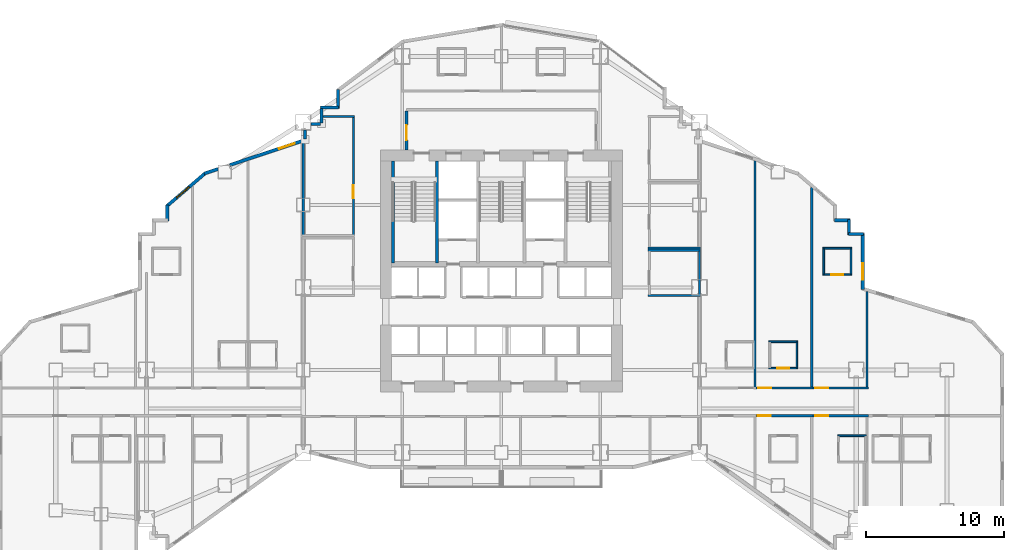
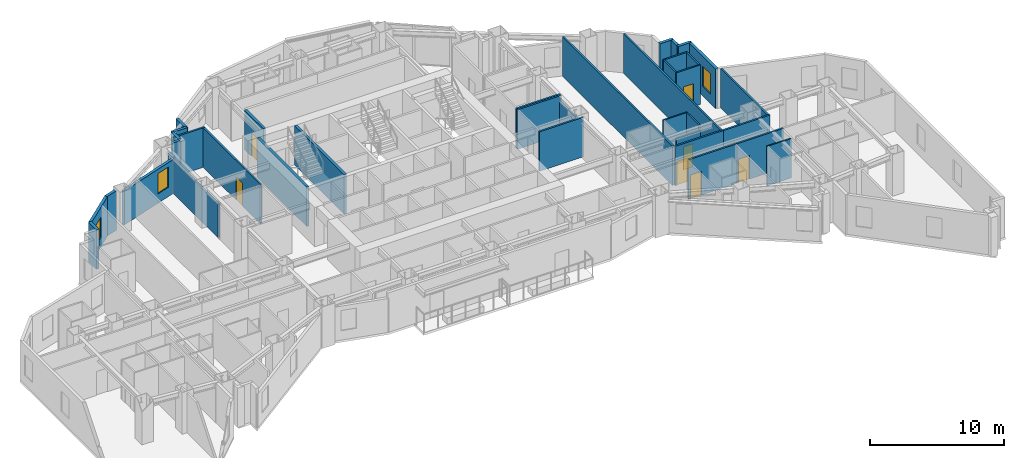
# One storey, part 10 of 18: 38 walls, 8 doors, 3 windows, 11 openings.
"""IFC4 building model written with IfcOpenShell, lengths in metres."""

from ifc_helpers import new_model, si_unit, direction, frame, frame_2d, origin, place, context, subcontext, project, spatial, rectangle, extrude, material, layer, layer_set, type_object, element, fill, save


model = new_model("IFC4")

# Units and contexts
model_context = context("Model", 3, precision=1e-05, world=origin(), true_north=direction((0.0, 1.0)))
body_context = subcontext(model_context, "Body", "Model", "MODEL_VIEW")
ifc_project = project(units=[si_unit("LENGTHUNIT", "METRE"), si_unit("AREAUNIT", "SQUARE_METRE"), si_unit("VOLUMEUNIT", "CUBIC_METRE"), si_unit("PLANEANGLEUNIT", "RADIAN"), si_unit("MASSUNIT", "GRAM", prefix="KILO")], contexts=[model_context])

# Site, building, storey
site_placement = place(None, origin())
site = spatial("IfcSite", under=ifc_project, at=site_placement, CompositionType="ELEMENT")
building_placement = place(site_placement, origin())
building = spatial("IfcBuilding", under=site, at=building_placement, Name="Haolan Belvedere Tower", CompositionType="ELEMENT")
storey_placement = place(building_placement, frame((0.0, 0.0, 51.39990234375)))
storey = spatial("IfcBuildingStorey", under=building, at=storey_placement, Name="L12", CompositionType="ELEMENT", Elevation=51.39990234375)

# Wall, opening, window
ifc_material_1 = material(Name="Precast concrete C40/50", Category="concrete")
ifc_layer_1 = layer(ifc_material_1, 0.239990234375, Name="Precast concrete C40/50")
ifc_layer_set_1 = layer_set([ifc_layer_1], Name="Precast concrete C40/50")
wall_type_1 = type_object("IfcWallType", Name="WL-EXT-240", PredefinedType="SOLIDWALL", material=ifc_layer_set_1)
wall_1_placement = place(storey_placement, frame((64.679931640625, 33.455810546875, 0.0), z_axis=(0.0, 0.0, 1.0), x_axis=(0.0, 1.0, 0.0)))
wall_1 = element("IfcWall", 1, at=wall_1_placement, inside=storey, type_object=wall_type_1, Name="L12 pale-metal exterior spandrel wall 29.1", PredefinedType="SOLIDWALL", context=body_context, shape_type="SweptSolid", body=[
    extrude(rectangle(XDim=4.0791015625, YDim=0.239990234375, at=frame_2d((2.03955078125, 0.0))), origin(), (0.0, 0.0, 1.0), 3.60009765625),
])
opening_1_placement = place(wall_1_placement, frame((0.699951171875, 0.0, 0.85009765625)))
opening_1 = element("IfcOpeningElement", 2, at=opening_1_placement, cuts=wall_1, Name="Opening W-01", PredefinedType="OPENING", context=body_context, shape_type="SweptSolid", body=[
    extrude(rectangle(XDim=1.199951171875, YDim=1.85009765625, at=frame_2d((0.60009765625, 0.925048828125))), frame((0.0, 0.1298828125, 0.0), z_axis=(0.0, -1.0, 0.0), x_axis=(1.0, 0.0, 0.0)), (0.0, 0.0, 1.0), 0.260009765625),
])
ifc_material_2 = material(Name="Anodised aluminium 6063-T6 and Low-E glass", Category="aluminium")
window_type = type_object("IfcWindowType", Name="WN-DECO-Z1", PartitioningType="SINGLE_PANEL", PredefinedType="WINDOW", material=ifc_material_2)
window_1_placement = place(opening_1_placement, origin())
window_1 = element("IfcWindow", 3, at=window_1_placement, inside=storey, type_object=window_type, Name="L12 Art Deco chevron window 1", OverallHeight=1.85009765625, OverallWidth=1.199951171875, PartitioningType="SINGLE_PANEL", PredefinedType="WINDOW", context=body_context, shape_type="SweptSolid", body=[
    extrude(rectangle(XDim=1.199951171875, YDim=1.85009765625, at=frame_2d((0.60009765625, 0.925048828125))), frame((0.0, 0.030029296875, 0.0), z_axis=(0.0, -1.0, 0.0), x_axis=(1.0, 0.0, 0.0)), (0.0, 0.0, 1.0), 0.06005859375),
])
fill(opening_1, window_1)

# Walls
wall_2_placement = place(storey_placement, frame((64.735107421875, 37.47998046875, 0.0), z_axis=(0.0, 0.0, 1.0), x_axis=(-1.0, 0.0, 0.0)))
element("IfcWall", 4, at=wall_2_placement, inside=storey, type_object=wall_type_1, Name="L12 pale-metal exterior spandrel wall 30.1", PredefinedType="SOLIDWALL", context=body_context, shape_type="SweptSolid", body=[
    extrude(rectangle(XDim=1.110107421875, YDim=0.239990234375, at=frame_2d((0.55517578125, 0.0))), origin(), (0.0, 0.0, 1.0), 3.60009765625),
])
wall_3_placement = place(storey_placement, frame((63.679931640625, 37.425048828125, 0.0), z_axis=(0.0, 0.0, 1.0), x_axis=(0.0, 1.0, 0.0)))
element("IfcWall", 5, at=wall_3_placement, inside=storey, type_object=wall_type_1, Name="L12 pale-metal exterior spandrel wall 31.1", PredefinedType="SOLIDWALL", context=body_context, shape_type="SweptSolid", body=[
    extrude(rectangle(XDim=1.10986328125, YDim=0.239990234375, at=frame_2d((0.554931640625, 0.0))), origin(), (0.0, 0.0, 1.0), 3.60009765625),
])
wall_4_placement = place(storey_placement, frame((63.735107421875, 38.47998046875, 0.0), z_axis=(0.0, 0.0, 1.0), x_axis=(-1.0, 0.0, 0.0)))
element("IfcWall", 6, at=wall_4_placement, inside=storey, type_object=wall_type_1, Name="L12 pale-metal exterior spandrel wall 32.1", PredefinedType="SOLIDWALL", context=body_context, shape_type="SweptSolid", body=[
    extrude(rectangle(XDim=1.110107421875, YDim=0.239990234375, at=frame_2d((0.55517578125, 0.0))), origin(), (0.0, 0.0, 1.0), 3.60009765625),
])
wall_5_placement = place(storey_placement, frame((26.52001953125, 47.9951171875, 0.0), z_axis=(0.0, 0.0, 1.0), x_axis=(0.0, -1.0, 0.0)))
element("IfcWall", 7, at=wall_5_placement, inside=storey, type_object=wall_type_1, Name="L12 pale-metal exterior spandrel wall 45.1", PredefinedType="SOLIDWALL", context=body_context, shape_type="SweptSolid", body=[
    extrude(rectangle(XDim=1.3701171875, YDim=0.239990234375, at=frame_2d((0.68505859375, 0.0))), origin(), (0.0, 0.0, 1.0), 3.60009765625),
])
wall_6_placement = place(storey_placement, frame((26.574951171875, 46.679931640625, 0.0), z_axis=(0.0, 0.0, 1.0), x_axis=(-1.0, 0.0, 0.0)))
element("IfcWall", 8, at=wall_6_placement, inside=storey, type_object=wall_type_1, Name="L12 pale-metal exterior spandrel wall 46.1", PredefinedType="SOLIDWALL", context=body_context, shape_type="SweptSolid", body=[
    extrude(rectangle(XDim=1.31005859375, YDim=0.239990234375, at=frame_2d((0.655029296875, 0.0))), origin(), (0.0, 0.0, 1.0), 3.60009765625),
])
wall_7_placement = place(storey_placement, frame((25.320068359375, 46.614990234375, 0.0), z_axis=(0.0, 0.0, 1.0), x_axis=(0.0, -1.0, 0.0)))
element("IfcWall", 9, at=wall_7_placement, inside=storey, type_object=wall_type_1, Name="L12 pale-metal exterior spandrel wall 47.1", PredefinedType="SOLIDWALL", context=body_context, shape_type="SweptSolid", body=[
    extrude(rectangle(XDim=1.050048828125, YDim=0.239990234375, at=frame_2d((0.52490234375, 0.0))), origin(), (0.0, 0.0, 1.0), 3.60009765625),
])
wall_8_placement = place(storey_placement, frame((25.235107421875, 45.47998046875, 0.0), z_axis=(0.0, 0.0, 1.0), x_axis=(-1.0, 0.0, 0.0)))
element("IfcWall", 10, at=wall_8_placement, inside=storey, type_object=wall_type_1, Name="L12 pale-metal exterior spandrel wall 48.1", PredefinedType="SOLIDWALL", context=body_context, shape_type="SweptSolid", body=[
    extrude(rectangle(XDim=0.668212890625, YDim=0.239990234375, at=frame_2d((0.333984375, 0.0))), origin(), (0.0, 0.0, 1.0), 3.60009765625),
])
wall_9_placement = place(storey_placement, frame((24.1201171875, 45.032958984375, 0.0), z_axis=(0.0, 0.0, 1.0), x_axis=(0.0, -1.0, 0.0)))
element("IfcWall", 11, at=wall_9_placement, inside=storey, type_object=wall_type_1, Name="L12 pale-metal exterior spandrel wall 49.1", PredefinedType="SOLIDWALL", context=body_context, shape_type="SweptSolid", body=[
    extrude(rectangle(XDim=0.634521484375, YDim=0.239990234375, at=frame_2d((0.3173828125, 0.0))), origin(), (0.0, 0.0, 1.0), 3.09716796875),
])

# Wall, opening, window
wall_10_placement = place(storey_placement, frame((24.039306640625, 44.28662109375, 0.0), z_axis=(0.0, 0.0, 1.0), x_axis=(-0.948678995954, -0.316240672014, 0.0)))
wall_10 = element("IfcWall", 12, at=wall_10_placement, inside=storey, type_object=wall_type_1, Name="L12 pale-metal exterior spandrel wall 50.1", PredefinedType="SOLIDWALL", context=body_context, shape_type="SweptSolid", body=[
    extrude(rectangle(XDim=5.675048828125, YDim=0.239990234375, at=frame_2d((2.83740234375, 0.0))), origin(), (0.0, 0.0, 1.0), 3.09716796875),
])
opening_2_placement = place(wall_10_placement, frame((0.699951171875, 0.0, 0.85009765625)))
opening_2 = element("IfcOpeningElement", 13, at=opening_2_placement, cuts=wall_10, Name="Opening W-01", PredefinedType="OPENING", context=body_context, shape_type="SweptSolid", body=[
    extrude(rectangle(XDim=1.199951171875, YDim=1.85009765625, at=frame_2d((0.60009765625, 0.925048828125))), frame((0.0, 0.1298828125, 0.0), z_axis=(0.0, -1.0, 0.0), x_axis=(1.0, 0.0, 0.0)), (0.0, 0.0, 1.0), 0.260009765625),
])
window_2_placement = place(opening_2_placement, origin())
window_2 = element("IfcWindow", 14, at=window_2_placement, inside=storey, type_object=window_type, Name="L12 Art Deco chevron window 1", OverallHeight=1.85009765625, OverallWidth=1.199951171875, PartitioningType="SINGLE_PANEL", PredefinedType="WINDOW", context=body_context, shape_type="SweptSolid", body=[
    extrude(rectangle(XDim=1.199951171875, YDim=1.85009765625, at=frame_2d((0.60009765625, 0.925048828125))), frame((0.0, 0.030029296875, 0.0), z_axis=(0.0, -1.0, 0.0), x_axis=(1.0, 0.0, 0.0)), (0.0, 0.0, 1.0), 0.06005859375),
])
fill(opening_2, window_2)

# Wall
wall_11_placement = place(storey_placement, frame((17.80810546875, 42.20947265625, 0.0), z_axis=(0.0, 0.0, 1.0), x_axis=(-0.948706457285, -0.316158279832, 0.0)))
element("IfcWall", 15, at=wall_11_placement, inside=storey, type_object=wall_type_1, Name="L12 pale-metal exterior spandrel wall 50.2", PredefinedType="SOLIDWALL", context=body_context, shape_type="SweptSolid", body=[
    extrude(rectangle(XDim=1.053955078125, YDim=0.239990234375, at=frame_2d((0.52685546875, 0.0))), origin(), (0.0, 0.0, 1.0), 3.60009765625),
])

# Wall, opening, window
wall_12_placement = place(storey_placement, frame((16.902099609375, 41.929443359375, 0.0), z_axis=(0.0, 0.0, 1.0), x_axis=(-0.759275136126, -0.650769750112, 0.0)))
wall_12 = element("IfcWall", 16, at=wall_12_placement, inside=storey, type_object=wall_type_1, Name="L12 pale-metal exterior spandrel wall 51.1", PredefinedType="SOLIDWALL", context=body_context, shape_type="SweptSolid", body=[
    extrude(rectangle(XDim=3.71923828125, YDim=0.239990234375, at=frame_2d((1.859619140625, 0.0))), origin(), (0.0, 0.0, 1.0), 3.60009765625),
])
opening_3_placement = place(wall_12_placement, frame((1.578857421875, 0.0, 0.85009765625)))
opening_3 = element("IfcOpeningElement", 17, at=opening_3_placement, cuts=wall_12, Name="Opening W-01", PredefinedType="OPENING", context=body_context, shape_type="SweptSolid", body=[
    extrude(rectangle(XDim=1.199951171875, YDim=1.85009765625, at=frame_2d((0.60009765625, 0.925048828125))), frame((0.0, 0.1298828125, 0.0), z_axis=(0.0, -1.0, 0.0), x_axis=(1.0, 0.0, 0.0)), (0.0, 0.0, 1.0), 0.260009765625),
])
window_3_placement = place(opening_3_placement, origin())
window_3 = element("IfcWindow", 18, at=window_3_placement, inside=storey, type_object=window_type, Name="L12 Art Deco chevron window 1", OverallHeight=1.85009765625, OverallWidth=1.199951171875, PartitioningType="SINGLE_PANEL", PredefinedType="WINDOW", context=body_context, shape_type="SweptSolid", body=[
    extrude(rectangle(XDim=1.199951171875, YDim=1.85009765625, at=frame_2d((0.60009765625, 0.925048828125))), frame((0.0, 0.030029296875, 0.0), z_axis=(0.0, -1.0, 0.0), x_axis=(1.0, 0.0, 0.0)), (0.0, 0.0, 1.0), 0.06005859375),
])
fill(opening_3, window_3)

# Wall
wall_13_placement = place(storey_placement, frame((14.1201171875, 39.599853515625, 0.0), z_axis=(0.0, 0.0, 1.0), x_axis=(0.0, -1.0, 0.0)))
element("IfcWall", 19, at=wall_13_placement, inside=storey, type_object=wall_type_1, Name="L12 pale-metal exterior spandrel wall 52.1", PredefinedType="SOLIDWALL", context=body_context, shape_type="SweptSolid", body=[
    extrude(rectangle(XDim=1.1748046875, YDim=0.239990234375, at=frame_2d((0.58740234375, 0.0))), origin(), (0.0, 0.0, 1.0), 3.60009765625),
])

# Wall, opening, door
ifc_material_3 = material(Name="Concrete C40/50", Category="concrete")
ifc_layer_2 = layer(ifc_material_3, 0.199951171875, Name="Concrete C40/50")
ifc_layer_set_2 = layer_set([ifc_layer_2], Name="Concrete C40/50")
wall_type_2 = type_object("IfcWallType", Name="WL-FIRE-200", PredefinedType="SOLIDWALL", material=ifc_layer_set_2)
wall_14_placement = place(storey_placement, frame((31.5, 43.60009765625, 0.0), z_axis=(0.0, 0.0, 1.0), x_axis=(0.0, 1.0, 0.0)))
wall_14 = element("IfcWall", 20, at=wall_14_placement, inside=storey, type_object=wall_type_2, Name="L12 interior partition IW-L12-FFL-W", PredefinedType="SOLIDWALL", context=body_context, shape_type="SweptSolid", body=[
    extrude(rectangle(XDim=2.8349609375, YDim=0.199951171875, at=frame_2d((1.41748046875, 0.0))), origin(), (0.0, 0.0, 1.0), 3.60009765625),
])
opening_4_placement = place(wall_14_placement, frame((1.800048828125, 0.0, 0.0), z_axis=(0.0, 0.0, 1.0), x_axis=(-1.0, 0.0, 0.0)))
opening_4 = element("IfcOpeningElement", 21, at=opening_4_placement, cuts=wall_14, Name="Opening FD-03", PredefinedType="OPENING", context=body_context, shape_type="SweptSolid", body=[
    extrude(rectangle(XDim=1.10009765625, YDim=2.14990234375, at=frame_2d((0.550048828125, 1.074951171875))), frame((0.0, 0.10986328125, 0.0), z_axis=(0.0, -1.0, 0.0), x_axis=(1.0, 0.0, 0.0)), (0.0, 0.0, 1.0), 0.219970703125),
])
ifc_material_4 = material(Name="Galvanised fire-rated steel", Category="steel")
door_type_1 = type_object("IfcDoorType", Name="DR-FD90-1100", OperationType="NOTDEFINED", PredefinedType="DOOR", material=ifc_material_4)
door_1_placement = place(opening_4_placement, origin())
door_1 = element("IfcDoor", 22, at=door_1_placement, inside=storey, type_object=door_type_1, Name="L12 door ID-L12-FFL-DW", OperationType="SINGLE_SWING_LEFT", OverallHeight=2.14990234375, OverallWidth=1.10009765625, PredefinedType="DOOR", context=body_context, shape_type="SweptSolid", body=[
    extrude(rectangle(XDim=1.10009765625, YDim=2.14990234375, at=frame_2d((0.550048828125, 1.074951171875))), frame((0.0, 0.02490234375, 0.0), z_axis=(0.0, -1.0, 0.0), x_axis=(1.0, 0.0, 0.0)), (0.0, 0.0, 1.0), 0.050048828125),
])
fill(opening_4, door_1)

# Walls
ifc_material_5 = material(Name="Double gypsum acoustic stud partition", Category="masonry")
ifc_layer_3 = layer(ifc_material_5, 0.14990234375, Name="Double gypsum acoustic stud partition")
ifc_layer_set_3 = layer_set([ifc_layer_3], Name="Double gypsum acoustic stud partition")
wall_type_3 = type_object("IfcWallType", Name="WL-PART-150", PredefinedType="PARTITIONING", material=ifc_layer_set_3)
wall_15_placement = place(storey_placement, frame((25.425048828125, 46.02001953125, 0.0), z_axis=(0.0, 0.0, 1.0), x_axis=(1.0, 0.0, 0.0)))
element("IfcWall", 23, at=wall_15_placement, inside=storey, type_object=wall_type_3, Name="L12 interior partition IW-L12-MTG-N", PredefinedType="PARTITIONING", context=body_context, shape_type="SweptSolid", body=[
    extrude(rectangle(XDim=2.294921875, YDim=0.14990234375, at=frame_2d((1.1474609375, 0.0))), origin(), (0.0, 0.0, 1.0), 3.60009765625),
])
wall_16_placement = place(storey_placement, frame((24.0, 37.419921875, 0.0), z_axis=(0.0, 0.0, 1.0), x_axis=(0.0, 1.0, 0.0)))
element("IfcWall", 24, at=wall_16_placement, inside=storey, type_object=wall_type_3, Name="L12 interior partition IW-L12-MTG-W", PredefinedType="PARTITIONING", context=body_context, shape_type="SweptSolid", body=[
    extrude(rectangle(XDim=6.742919921875, YDim=0.14990234375, at=frame_2d((3.37158203125, 0.0))), origin(), (0.0, 0.0, 1.0), 3.09716796875),
])

# Wall, opening, door
wall_17_placement = place(storey_placement, frame((27.639892578125, 37.419921875, 0.0), z_axis=(0.0, 0.0, 1.0), x_axis=(0.0, 1.0, 0.0)))
wall_17 = element("IfcWall", 25, at=wall_17_placement, inside=storey, type_object=wall_type_3, Name="L12 interior partition IW-L12-MTG-E", PredefinedType="PARTITIONING", context=body_context, shape_type="SweptSolid", body=[
    extrude(rectangle(XDim=8.5400390625, YDim=0.14990234375, at=frame_2d((4.27001953125, 0.0))), origin(), (0.0, 0.0, 1.0), 3.60009765625),
])
opening_5_placement = place(wall_17_placement, frame((3.60986328125, 0.0, 0.0), z_axis=(0.0, 0.0, 1.0), x_axis=(-1.0, 0.0, 0.0)))
opening_5 = element("IfcOpeningElement", 26, at=opening_5_placement, cuts=wall_17, Name="Opening ID-03", PredefinedType="OPENING", context=body_context, shape_type="SweptSolid", body=[
    extrude(rectangle(XDim=0.949951171875, YDim=2.1201171875, at=frame_2d((0.47509765625, 1.06005859375))), frame((0.0, 0.0849609375, 0.0), z_axis=(0.0, -1.0, 0.0), x_axis=(1.0, 0.0, 0.0)), (0.0, 0.0, 1.0), 0.169921875),
])
ifc_material_6 = material(Name="Painted solid-core timber", Category="wood")
door_type_2 = type_object("IfcDoorType", Name="DR-INT-950", OperationType="NOTDEFINED", PredefinedType="DOOR", material=ifc_material_6)
door_2_placement = place(opening_5_placement, origin())
door_2 = element("IfcDoor", 27, at=door_2_placement, inside=storey, type_object=door_type_2, Name="L12 door ID-L12-MTG", OperationType="SINGLE_SWING_RIGHT", OverallHeight=2.1201171875, OverallWidth=0.949951171875, PredefinedType="DOOR", context=body_context, shape_type="SweptSolid", body=[
    extrude(rectangle(XDim=0.949951171875, YDim=2.1201171875, at=frame_2d((0.47509765625, 1.06005859375))), frame((0.0, 0.02490234375, 0.0), z_axis=(0.0, -1.0, 0.0), x_axis=(1.0, 0.0, 0.0)), (0.0, 0.0, 1.0), 0.050048828125),
])
fill(opening_5, door_2)

# Walls
for number, where, z_axis, x_axis, name in (
    (28, (49.080078125, 36.300048828125, 0.0), (0.0, 0.0, 1.0), (1.0, 0.0, 0.0), "L12 interior partition IW-L12-AWC-N"),
    (29, (49.080078125, 33.0, 0.0), (0.0, 0.0, 1.0), (1.0, 0.0, 0.0), "L12 interior partition IW-L12-AWC-S"),
):
    element("IfcWall", number, at=place(storey_placement, frame(where, z_axis=z_axis, x_axis=x_axis)), inside=storey, type_object=wall_type_3, Name=name, PredefinedType="PARTITIONING", context=body_context, shape_type="SweptSolid", body=[
        extrude(rectangle(XDim=3.7998046875, YDim=0.14990234375, at=frame_2d((1.89990234375, 0.0))), origin(), (0.0, 0.0, 1.0), 3.60009765625),
    ])
wall_18_placement = place(storey_placement, frame((52.800048828125, 33.06005859375, 0.0), z_axis=(0.0, 0.0, 1.0), x_axis=(0.0, 1.0, 0.0)))
element("IfcWall", 30, at=wall_18_placement, inside=storey, type_object=wall_type_3, Name="L12 interior partition IW-L12-AWC-E", PredefinedType="PARTITIONING", context=body_context, shape_type="SweptSolid", body=[
    extrude(rectangle(XDim=3.179931640625, YDim=0.14990234375, at=frame_2d((1.58984375, 0.0))), origin(), (0.0, 0.0, 1.0), 3.09716796875),
])
wall_19_placement = place(storey_placement, frame((49.080078125, 36.4599609375, 0.0), z_axis=(0.0, 0.0, 1.0), x_axis=(1.0, 0.0, 0.0)))
element("IfcWall", 31, at=wall_19_placement, inside=storey, type_object=wall_type_3, Name="L12 interior partition IW-L12-STY-S", PredefinedType="PARTITIONING", context=body_context, shape_type="SweptSolid", body=[
    extrude(rectangle(XDim=3.7998046875, YDim=0.14990234375, at=frame_2d((1.89990234375, 0.0))), origin(), (0.0, 0.0, 1.0), 3.60009765625),
])
wall_20_placement = place(storey_placement, frame((56.830078125, 26.340087890625, 0.0), z_axis=(0.0, 0.0, 1.0), x_axis=(0.0, 1.0, 0.0)))
element("IfcWall", 32, at=wall_20_placement, inside=storey, type_object=wall_type_3, Name="L12 interior partition IW-L12-T4N1-E", PredefinedType="PARTITIONING", context=body_context, shape_type="SweptSolid", body=[
    extrude(rectangle(XDim=16.4794921875, YDim=0.14990234375, at=frame_2d((8.23974609375, 0.0))), origin(), (0.0, 0.0, 1.0), 3.60009765625),
])

# Wall, opening, door
wall_21_placement = place(storey_placement, frame((56.931884765625, 26.280029296875, 0.0), z_axis=(0.0, 0.0, 1.0), x_axis=(1.0, 0.0, 0.0)))
wall_21 = element("IfcWall", 33, at=wall_21_placement, inside=storey, type_object=wall_type_3, Name="L12 interior partition IW-L12-T4N2-S", PredefinedType="PARTITIONING", context=body_context, shape_type="SweptSolid", body=[
    extrude(rectangle(XDim=4.13818359375, YDim=0.14990234375, at=frame_2d((2.069091796875, 0.0))), origin(), (0.0, 0.0, 1.0), 3.60009765625),
])
opening_6_placement = place(wall_21_placement, frame((0.139892578125, 0.0, 0.0)))
opening_6 = element("IfcOpeningElement", 34, at=opening_6_placement, cuts=wall_21, Name="Opening ID-01", PredefinedType="OPENING", context=body_context, shape_type="SweptSolid", body=[
    extrude(rectangle(XDim=0.949951171875, YDim=2.179931640625, at=frame_2d((0.47509765625, 1.08984375))), frame((0.0, 0.0849609375, 0.0), z_axis=(0.0, -1.0, 0.0), x_axis=(1.0, 0.0, 0.0)), (0.0, 0.0, 1.0), 0.169921875),
])
ifc_material_7 = material(Name="Acoustic walnut veneer fire-rated timber", Category="wood")
door_type_3 = type_object("IfcDoorType", Name="DR-SUITE-950", OperationType="NOTDEFINED", PredefinedType="DOOR", material=ifc_material_7)
door_3_placement = place(opening_6_placement, origin())
door_3 = element("IfcDoor", 35, at=door_3_placement, inside=storey, type_object=door_type_3, Name="L12 door ID-L12-T4N2-ENT", OperationType="SINGLE_SWING_RIGHT", OverallHeight=2.179931640625, OverallWidth=0.949951171875, PredefinedType="DOOR", context=body_context, shape_type="SweptSolid", body=[
    extrude(rectangle(XDim=0.949951171875, YDim=2.179931640625, at=frame_2d((0.47509765625, 1.08984375))), frame((0.0, 0.02490234375, 0.0), z_axis=(0.0, -1.0, 0.0), x_axis=(1.0, 0.0, 0.0)), (0.0, 0.0, 1.0), 0.050048828125),
])
fill(opening_6, door_3)

# Wall
wall_22_placement = place(storey_placement, frame((60.969970703125, 26.340087890625, 0.0), z_axis=(0.0, 0.0, 1.0), x_axis=(0.0, 1.0, 0.0)))
element("IfcWall", 36, at=wall_22_placement, inside=storey, type_object=wall_type_3, Name="L12 interior partition IW-L12-T4N2-E", PredefinedType="PARTITIONING", context=body_context, shape_type="SweptSolid", body=[
    extrude(rectangle(XDim=14.5322265625, YDim=0.14990234375, at=frame_2d((7.26611328125, 0.0))), origin(), (0.0, 0.0, 1.0), 3.60009765625),
])

# Wall, opening, door
wall_23_placement = place(storey_placement, frame((61.072021484375, 26.280029296875, 0.0), z_axis=(0.0, 0.0, 1.0), x_axis=(1.0, 0.0, 0.0)))
wall_23 = element("IfcWall", 37, at=wall_23_placement, inside=storey, type_object=wall_type_3, Name="L12 interior partition IW-L12-T4N3-S", PredefinedType="PARTITIONING", context=body_context, shape_type="SweptSolid", body=[
    extrude(rectangle(XDim=4.028076171875, YDim=0.14990234375, at=frame_2d((2.01416015625, 0.0))), origin(), (0.0, 0.0, 1.0), 3.60009765625),
])
opening_7_placement = place(wall_23_placement, frame((0.139892578125, 0.0, 0.0)))
opening_7 = element("IfcOpeningElement", 38, at=opening_7_placement, cuts=wall_23, Name="Opening ID-02", PredefinedType="OPENING", context=body_context, shape_type="SweptSolid", body=[
    extrude(rectangle(XDim=0.949951171875, YDim=2.14990234375, at=frame_2d((0.47509765625, 1.074951171875))), frame((0.0, 0.0849609375, 0.0), z_axis=(0.0, -1.0, 0.0), x_axis=(1.0, 0.0, 0.0)), (0.0, 0.0, 1.0), 0.169921875),
])
ifc_material_8 = material(Name="Acoustic oak veneer fire-rated timber", Category="wood")
door_type_4 = type_object("IfcDoorType", Name="DR-GUEST-950", OperationType="NOTDEFINED", PredefinedType="DOOR", material=ifc_material_8)
door_4_placement = place(opening_7_placement, origin())
door_4 = element("IfcDoor", 39, at=door_4_placement, inside=storey, type_object=door_type_4, Name="L12 door ID-L12-T4N3-ENT", OperationType="SINGLE_SWING_LEFT", OverallHeight=2.14990234375, OverallWidth=0.949951171875, PredefinedType="DOOR", context=body_context, shape_type="SweptSolid", body=[
    extrude(rectangle(XDim=0.949951171875, YDim=2.14990234375, at=frame_2d((0.47509765625, 1.074951171875))), frame((0.0, 0.02490234375, 0.0), z_axis=(0.0, -1.0, 0.0), x_axis=(1.0, 0.0, 0.0)), (0.0, 0.0, 1.0), 0.050048828125),
])
fill(opening_7, door_4)

# Wall
wall_24_placement = place(storey_placement, frame((65.0, 26.340087890625, 0.0), z_axis=(0.0, 0.0, 1.0), x_axis=(0.0, 1.0, 0.0)))
element("IfcWall", 40, at=wall_24_placement, inside=storey, type_object=wall_type_3, Name="L12 interior partition IW-L12-T4N3-E", PredefinedType="PARTITIONING", context=body_context, shape_type="SweptSolid", body=[
    extrude(rectangle(XDim=6.96435546875, YDim=0.14990234375, at=frame_2d((3.482177734375, 0.0))), origin(), (0.0, 0.0, 1.0), 3.60009765625),
])

# Wall, opening, door
wall_25_placement = place(storey_placement, frame((56.912109375, 24.27001953125, 0.0), z_axis=(0.0, 0.0, 1.0), x_axis=(1.0, 0.0, 0.0)))
wall_25 = element("IfcWall", 41, at=wall_25_placement, inside=storey, type_object=wall_type_3, Name="L12 interior partition IW-L12-T4S2-N", PredefinedType="PARTITIONING", context=body_context, shape_type="SweptSolid", body=[
    extrude(rectangle(XDim=4.157958984375, YDim=0.14990234375, at=frame_2d((2.0791015625, 0.0))), origin(), (0.0, 0.0, 1.0), 3.60009765625),
])
opening_8_placement = place(wall_25_placement, frame((1.08984375, 0.0, 0.0), z_axis=(0.0, 0.0, 1.0), x_axis=(-1.0, 0.0, 0.0)))
opening_8 = element("IfcOpeningElement", 42, at=opening_8_placement, cuts=wall_25, Name="Opening ID-02", PredefinedType="OPENING", context=body_context, shape_type="SweptSolid", body=[
    extrude(rectangle(XDim=0.949951171875, YDim=2.14990234375, at=frame_2d((0.47509765625, 1.074951171875))), frame((0.0, 0.0849609375, 0.0), z_axis=(0.0, -1.0, 0.0), x_axis=(1.0, 0.0, 0.0)), (0.0, 0.0, 1.0), 0.169921875),
])
door_5_placement = place(opening_8_placement, origin())
door_5 = element("IfcDoor", 43, at=door_5_placement, inside=storey, type_object=door_type_4, Name="L12 door ID-L12-T4S2-ENT", OperationType="SINGLE_SWING_LEFT", OverallHeight=2.14990234375, OverallWidth=0.949951171875, PredefinedType="DOOR", context=body_context, shape_type="SweptSolid", body=[
    extrude(rectangle(XDim=0.949951171875, YDim=2.14990234375, at=frame_2d((0.47509765625, 1.074951171875))), frame((0.0, 0.02490234375, 0.0), z_axis=(0.0, -1.0, 0.0), x_axis=(1.0, 0.0, 0.0)), (0.0, 0.0, 1.0), 0.050048828125),
])
fill(opening_8, door_5)

wall_26_placement = place(storey_placement, frame((61.072021484375, 24.27001953125, 0.0), z_axis=(0.0, 0.0, 1.0), x_axis=(1.0, 0.0, 0.0)))
wall_26 = element("IfcWall", 44, at=wall_26_placement, inside=storey, type_object=wall_type_3, Name="L12 interior partition IW-L12-T4S3-N", PredefinedType="PARTITIONING", context=body_context, shape_type="SweptSolid", body=[
    extrude(rectangle(XDim=4.028076171875, YDim=0.14990234375, at=frame_2d((2.01416015625, 0.0))), origin(), (0.0, 0.0, 1.0), 3.60009765625),
])
opening_9_placement = place(wall_26_placement, frame((1.08984375, 0.0, 0.0), z_axis=(0.0, 0.0, 1.0), x_axis=(-1.0, 0.0, 0.0)))
opening_9 = element("IfcOpeningElement", 45, at=opening_9_placement, cuts=wall_26, Name="Opening ID-02", PredefinedType="OPENING", context=body_context, shape_type="SweptSolid", body=[
    extrude(rectangle(XDim=0.949951171875, YDim=2.14990234375, at=frame_2d((0.47509765625, 1.074951171875))), frame((0.0, 0.0849609375, 0.0), z_axis=(0.0, -1.0, 0.0), x_axis=(1.0, 0.0, 0.0)), (0.0, 0.0, 1.0), 0.169921875),
])
door_6_placement = place(opening_9_placement, origin())
door_6 = element("IfcDoor", 46, at=door_6_placement, inside=storey, type_object=door_type_4, Name="L12 door ID-L12-T4S3-ENT", OperationType="SINGLE_SWING_RIGHT", OverallHeight=2.14990234375, OverallWidth=0.949951171875, PredefinedType="DOOR", context=body_context, shape_type="SweptSolid", body=[
    extrude(rectangle(XDim=0.949951171875, YDim=2.14990234375, at=frame_2d((0.47509765625, 1.074951171875))), frame((0.0, 0.02490234375, 0.0), z_axis=(0.0, -1.0, 0.0), x_axis=(1.0, 0.0, 0.0)), (0.0, 0.0, 1.0), 0.050048828125),
])
fill(opening_9, door_6)

# Walls
ifc_material_9 = material(Name="Concrete C50/60", Category="concrete")
ifc_layer_4 = layer(ifc_material_9, 0.219970703125, Name="Concrete C50/60")
ifc_layer_set_4 = layer_set([ifc_layer_4], Name="Concrete C50/60")
wall_type_4 = type_object("IfcWallType", Name="WL-STAIR-220", PredefinedType="SHEAR", material=ifc_layer_set_4)
for number, where, z_axis, x_axis, name in (
    (47, (30.511962890625, 35.389892578125, 0.0), (0.0, 0.0, 1.0), (0.0, 1.0, 0.0), "L12 structural stair core wall ST1W"),
    (48, (33.739990234375, 35.389892578125, 0.0), (0.0, 0.0, 1.0), (0.0, 1.0, 0.0), "L12 structural stair core wall ST1E"),
):
    element("IfcWall", number, at=place(storey_placement, frame(where, z_axis=z_axis, x_axis=x_axis)), inside=storey, type_object=wall_type_4, Name=name, PredefinedType="SHEAR", context=body_context, shape_type="SweptSolid", body=[
        extrude(rectangle(XDim=7.41015625, YDim=0.219970703125, at=frame_2d((3.705078125, 0.0))), origin(), (0.0, 0.0, 1.0), 3.60009765625),
    ])
ifc_material_10 = material(Name="Moisture-resistant gypsum tile partition", Category="masonry")
ifc_layer_5 = layer(ifc_material_10, 0.1201171875, Name="Moisture-resistant gypsum tile partition")
ifc_layer_set_5 = layer_set([ifc_layer_5], Name="Moisture-resistant gypsum tile partition")
wall_type_5 = type_object("IfcWallType", Name="WL-WET-120", PredefinedType="PARTITIONING", material=ifc_layer_set_5)
wall_27_placement = place(storey_placement, frame((57.85009765625, 29.64990234375, 0.0), z_axis=(0.0, 0.0, 1.0), x_axis=(1.0, 0.0, 0.0)))
element("IfcWall", 49, at=wall_27_placement, inside=storey, type_object=wall_type_5, Name="L12 interior partition IW-L12-T4N2-BN", PredefinedType="PARTITIONING", context=body_context, shape_type="SweptSolid", body=[
    extrude(rectangle(XDim=2.099853515625, YDim=0.1201171875, at=frame_2d((1.0498046875, 0.0))), origin(), (0.0, 0.0, 1.0), 3.60009765625),
])

# Wall, opening, door
wall_28_placement = place(storey_placement, frame((57.85009765625, 27.72998046875, 0.0), z_axis=(0.0, 0.0, 1.0), x_axis=(1.0, 0.0, 0.0)))
wall_28 = element("IfcWall", 50, at=wall_28_placement, inside=storey, type_object=wall_type_5, Name="L12 interior partition IW-L12-T4N2-BS", PredefinedType="PARTITIONING", context=body_context, shape_type="SweptSolid", body=[
    extrude(rectangle(XDim=2.099853515625, YDim=0.1201171875, at=frame_2d((1.0498046875, 0.0))), origin(), (0.0, 0.0, 1.0), 3.09716796875),
])
opening_10_placement = place(wall_28_placement, frame((0.625, 0.0, 0.0)))
opening_10 = element("IfcOpeningElement", 51, at=opening_10_placement, cuts=wall_28, Name="Opening ID-05", PredefinedType="OPENING", context=body_context, shape_type="SweptSolid", body=[
    extrude(rectangle(XDim=0.85009765625, YDim=2.10009765625, at=frame_2d((0.425048828125, 1.050048828125))), frame((0.0, 0.070068359375, 0.0), z_axis=(0.0, -1.0, 0.0), x_axis=(1.0, 0.0, 0.0)), (0.0, 0.0, 1.0), 0.14013671875),
])
ifc_material_11 = material(Name="Moisture-resistant lacquered timber", Category="wood")
door_type_5 = type_object("IfcDoorType", Name="DR-BATH-850", OperationType="NOTDEFINED", PredefinedType="DOOR", material=ifc_material_11)
door_7_placement = place(opening_10_placement, origin())
door_7 = element("IfcDoor", 52, at=door_7_placement, inside=storey, type_object=door_type_5, Name="L12 door ID-L12-T4N2-BATH", OperationType="SINGLE_SWING_LEFT", OverallHeight=2.10009765625, OverallWidth=0.85009765625, PredefinedType="DOOR", context=body_context, shape_type="SweptSolid", body=[
    extrude(rectangle(XDim=0.85009765625, YDim=2.10009765625, at=frame_2d((0.425048828125, 1.050048828125))), frame((0.0, 0.02490234375, 0.0), z_axis=(0.0, -1.0, 0.0), x_axis=(1.0, 0.0, 0.0)), (0.0, 0.0, 1.0), 0.050048828125),
])
fill(opening_10, door_7)

# Walls
wall_29_placement = place(storey_placement, frame((59.889892578125, 27.77490234375, 0.0), z_axis=(0.0, 0.0, 1.0), x_axis=(0.0, 1.0, 0.0)))
element("IfcWall", 53, at=wall_29_placement, inside=storey, type_object=wall_type_5, Name="L12 interior partition IW-L12-T4N2-BE", PredefinedType="PARTITIONING", context=body_context, shape_type="SweptSolid", body=[
    extrude(rectangle(XDim=1.830078125, YDim=0.1201171875, at=frame_2d((0.9150390625, 0.0))), origin(), (0.0, 0.0, 1.0), 3.60009765625),
])
wall_30_placement = place(storey_placement, frame((61.777099609375, 36.447021484375, 0.0), z_axis=(0.0, 0.0, 1.0), x_axis=(1.0, 0.0, 0.0)))
element("IfcWall", 54, at=wall_30_placement, inside=storey, type_object=wall_type_5, Name="L12 interior partition IW-L12-T4N3-BN", PredefinedType="PARTITIONING", context=body_context, shape_type="SweptSolid", body=[
    extrude(rectangle(XDim=2.099853515625, YDim=0.1201171875, at=frame_2d((1.0498046875, 0.0))), origin(), (0.0, 0.0, 1.0), 3.60009765625),
])

# Wall, opening, door
wall_31_placement = place(storey_placement, frame((61.777099609375, 34.527099609375, 0.0), z_axis=(0.0, 0.0, 1.0), x_axis=(1.0, 0.0, 0.0)))
wall_31 = element("IfcWall", 55, at=wall_31_placement, inside=storey, type_object=wall_type_5, Name="L12 interior partition IW-L12-T4N3-BS", PredefinedType="PARTITIONING", context=body_context, shape_type="SweptSolid", body=[
    extrude(rectangle(XDim=2.099853515625, YDim=0.1201171875, at=frame_2d((1.0498046875, 0.0))), origin(), (0.0, 0.0, 1.0), 3.60009765625),
])
opening_11_placement = place(wall_31_placement, frame((0.625, 0.0, 0.0)))
opening_11 = element("IfcOpeningElement", 56, at=opening_11_placement, cuts=wall_31, Name="Opening ID-05", PredefinedType="OPENING", context=body_context, shape_type="SweptSolid", body=[
    extrude(rectangle(XDim=0.85009765625, YDim=2.10009765625, at=frame_2d((0.425048828125, 1.050048828125))), frame((0.0, 0.070068359375, 0.0), z_axis=(0.0, -1.0, 0.0), x_axis=(1.0, 0.0, 0.0)), (0.0, 0.0, 1.0), 0.14013671875),
])
door_8_placement = place(opening_11_placement, origin())
door_8 = element("IfcDoor", 57, at=door_8_placement, inside=storey, type_object=door_type_5, Name="L12 door ID-L12-T4N3-BATH", OperationType="SINGLE_SWING_RIGHT", OverallHeight=2.10009765625, OverallWidth=0.85009765625, PredefinedType="DOOR", context=body_context, shape_type="SweptSolid", body=[
    extrude(rectangle(XDim=0.85009765625, YDim=2.10009765625, at=frame_2d((0.425048828125, 1.050048828125))), frame((0.0, 0.02490234375, 0.0), z_axis=(0.0, -1.0, 0.0), x_axis=(1.0, 0.0, 0.0)), (0.0, 0.0, 1.0), 0.050048828125),
])
fill(opening_11, door_8)

# Walls
for number, where, z_axis, x_axis, name in (
    (58, (61.8369140625, 34.572021484375, 0.0), (0.0, 0.0, 1.0), (0.0, 1.0, 0.0), "L12 interior partition IW-L12-T4N3-BW"),
    (59, (63.81689453125, 34.572021484375, 0.0), (0.0, 0.0, 1.0), (0.0, 1.0, 0.0), "L12 interior partition IW-L12-T4N3-BE"),
):
    element("IfcWall", number, at=place(storey_placement, frame(where, z_axis=z_axis, x_axis=x_axis)), inside=storey, type_object=wall_type_5, Name=name, PredefinedType="PARTITIONING", context=body_context, shape_type="SweptSolid", body=[
        extrude(rectangle(XDim=1.830078125, YDim=0.1201171875, at=frame_2d((0.9150390625, 0.0))), origin(), (0.0, 0.0, 1.0), 3.60009765625),
    ])
wall_32_placement = place(storey_placement, frame((62.860107421875, 22.820068359375, 0.0), z_axis=(0.0, 0.0, 1.0), x_axis=(1.0, 0.0, 0.0)))
element("IfcWall", 60, at=wall_32_placement, inside=storey, type_object=wall_type_5, Name="L12 interior partition IW-L12-T4S3-BN", PredefinedType="PARTITIONING", context=body_context, shape_type="SweptSolid", body=[
    extrude(rectangle(XDim=2.079833984375, YDim=0.1201171875, at=frame_2d((1.0400390625, 0.0))), origin(), (0.0, 0.0, 1.0), 3.60009765625),
])

save(model, "model.ifc")
